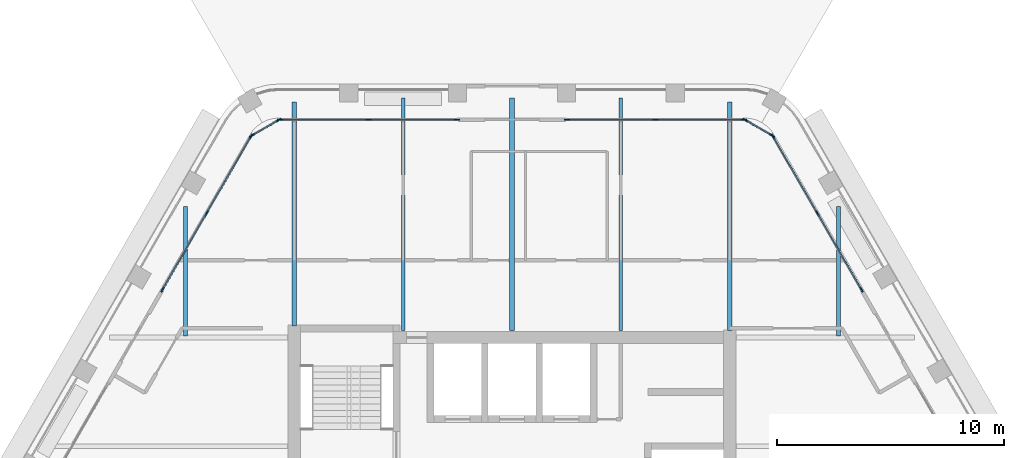
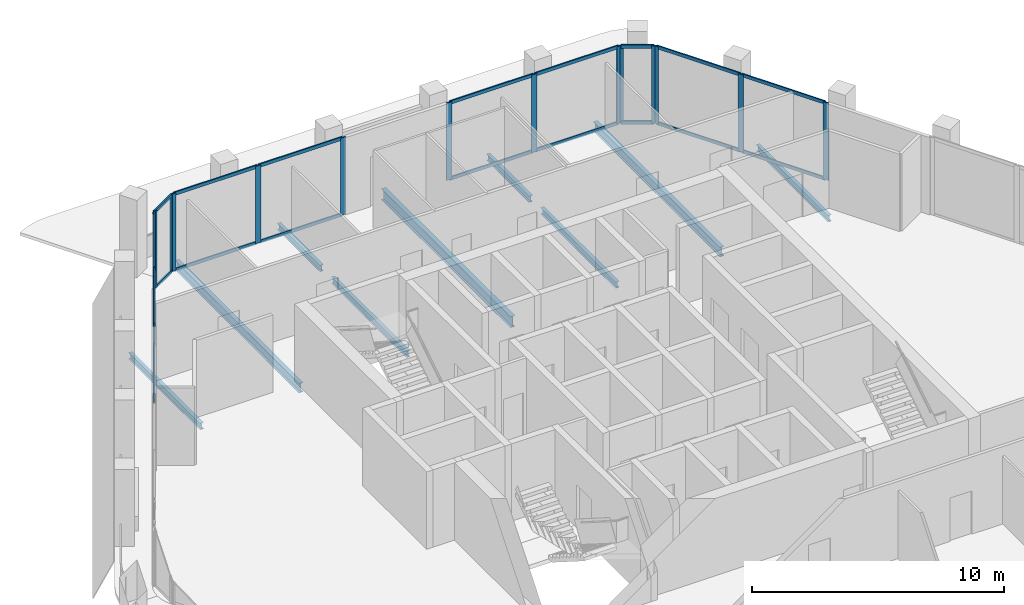
# One storey, part 5 of 14: 36 members, 9 beams, 6 elements without a shape of their own.
"""IFC4 building model written with IfcOpenShell, lengths in metres."""

from ifc_helpers import new_model, si_unit, direction, frame, origin, origin_2d, place, context, subcontext, project, spatial, rectangle, i_section, extrude, material, material_profile, profile_set, type_object, element, aggregate, save


model = new_model("IFC4")

# Units and contexts
model_context = context("Model", 3, precision=1e-05, world=origin(), true_north=direction((0.0, 1.0)))
body_context = subcontext(model_context, "Body", "Model", "MODEL_VIEW")
ifc_project = project(units=[si_unit("LENGTHUNIT", "METRE"), si_unit("AREAUNIT", "SQUARE_METRE"), si_unit("VOLUMEUNIT", "CUBIC_METRE"), si_unit("PLANEANGLEUNIT", "RADIAN"), si_unit("MASSUNIT", "GRAM", prefix="KILO")], contexts=[model_context])

# Site, building, storey
site_placement = place(None, origin())
site = spatial("IfcSite", under=ifc_project, at=site_placement, CompositionType="ELEMENT")
building_placement = place(site_placement, origin())
building = spatial("IfcBuilding", under=site, at=building_placement, Name="Kolab Exchange Tower", CompositionType="ELEMENT")
storey_placement = place(building_placement, frame((0.0, 0.0, 222.800048828125)))
storey = spatial("IfcBuildingStorey", under=building, at=storey_placement, Name="L48", CompositionType="ELEMENT", Elevation=222.800048828125)

# Beams
ifc_material_1 = material(Name="Steel S355", Category="steel")
ifc_material_profile_1 = material_profile(ifc_material_1, i_section(OverallWidth=0.1650390625, OverallDepth=0.31005859375, WebThickness=0.005859375, FlangeThickness=0.009765625, at=origin_2d()), Name="W310X39")
ifc_profile_set_1 = profile_set([ifc_material_profile_1], Name="Steel S355")
beam_type_1 = type_object("IfcBeamType", Name="FLOOR BEAM W310X39", PredefinedType="BEAM", material=ifc_profile_set_1)
beam_1_placement = place(storey_placement, frame((-14.39990234375, 9.674072265625, -0.304931640625), z_axis=(0.0, 1.0, 0.0), x_axis=(-1.0, 0.0, 0.0)))
element("IfcBeam", 1, at=beam_1_placement, inside=storey, type_object=beam_type_1, Name="beam/L48/fr/004", PredefinedType="BEAM", context=body_context, shape_type="SweptSolid", body=[
    extrude(i_section(OverallWidth=0.1650390625, OverallDepth=0.31005859375, WebThickness=0.005859375, FlangeThickness=0.009765625, at=origin_2d()), origin(), (0.0, 0.0, 1.0), 5.693603515625),
])
beam_2_placement = place(storey_placement, frame((-4.800048828125, 9.909912109375, -0.304931640625), z_axis=(0.0, 1.0, 0.0), x_axis=(-1.0, 0.0, 0.0)))
element("IfcBeam", 2, at=beam_2_placement, inside=storey, type_object=beam_type_1, Name="beam/L48/fr/009", PredefinedType="BEAM", context=body_context, shape_type="SweptSolid", body=[
    extrude(i_section(OverallWidth=0.1650390625, OverallDepth=0.31005859375, WebThickness=0.005859375, FlangeThickness=0.009765625, at=origin_2d()), origin(), (0.0, 0.0, 1.0), 5.966796875),
])
beam_3_placement = place(storey_placement, frame((-4.800048828125, 16.77880859375, -0.304931640625), z_axis=(0.0, 1.0, 0.0), x_axis=(-1.0, 0.0, 0.0)))
element("IfcBeam", 3, at=beam_3_placement, inside=storey, type_object=beam_type_1, Name="beam/L48/fr/010", PredefinedType="BEAM", context=body_context, shape_type="SweptSolid", body=[
    extrude(i_section(OverallWidth=0.1650390625, OverallDepth=0.31005859375, WebThickness=0.005859375, FlangeThickness=0.009765625, at=origin_2d()), origin(), (0.0, 0.0, 1.0), 3.395751953125),
])
beam_4_placement = place(storey_placement, frame((4.800048828125, 9.909912109375, -0.304931640625), z_axis=(0.0, 1.0, 0.0), x_axis=(-1.0, 0.0, 0.0)))
element("IfcBeam", 4, at=beam_4_placement, inside=storey, type_object=beam_type_1, Name="beam/L48/fr/015", PredefinedType="BEAM", context=body_context, shape_type="SweptSolid", body=[
    extrude(i_section(OverallWidth=0.1650390625, OverallDepth=0.31005859375, WebThickness=0.005859375, FlangeThickness=0.009765625, at=origin_2d()), origin(), (0.0, 0.0, 1.0), 5.966796875),
])
beam_5_placement = place(storey_placement, frame((4.800048828125, 16.77880859375, -0.304931640625), z_axis=(0.0, 1.0, 0.0), x_axis=(-1.0, 0.0, 0.0)))
element("IfcBeam", 5, at=beam_5_placement, inside=storey, type_object=beam_type_1, Name="beam/L48/fr/016", PredefinedType="BEAM", context=body_context, shape_type="SweptSolid", body=[
    extrude(i_section(OverallWidth=0.1650390625, OverallDepth=0.31005859375, WebThickness=0.005859375, FlangeThickness=0.009765625, at=origin_2d()), origin(), (0.0, 0.0, 1.0), 3.395751953125),
])
beam_6_placement = place(storey_placement, frame((14.39990234375, 9.674072265625, -0.304931640625), z_axis=(0.0, 1.0, 0.0), x_axis=(-1.0, 0.0, 0.0)))
element("IfcBeam", 6, at=beam_6_placement, inside=storey, type_object=beam_type_1, Name="beam/L48/fr/023", PredefinedType="BEAM", context=body_context, shape_type="SweptSolid", body=[
    extrude(i_section(OverallWidth=0.1650390625, OverallDepth=0.31005859375, WebThickness=0.005859375, FlangeThickness=0.009765625, at=origin_2d()), origin(), (0.0, 0.0, 1.0), 5.693603515625),
])
ifc_material_profile_2 = material_profile(ifc_material_1, i_section(OverallWidth=0.18994140625, OverallDepth=0.45703125, WebThickness=0.009033203125, FlangeThickness=0.014404296875, at=origin_2d()), Name="W460X74")
ifc_profile_set_2 = profile_set([ifc_material_profile_2], Name="Steel S355")
beam_type_2 = type_object("IfcBeamType", Name="FLOOR BEAM W460X74", PredefinedType="BEAM", material=ifc_profile_set_2)
beam_7_placement = place(storey_placement, frame((-9.60009765625, 10.110107421875, -0.378662109375), z_axis=(0.0, 1.0, 0.0), x_axis=(-1.0, 0.0, 0.0)))
element("IfcBeam", 7, at=beam_7_placement, inside=storey, type_object=beam_type_2, Name="beam/L48/fr/006", PredefinedType="BEAM", context=body_context, shape_type="SweptSolid", body=[
    extrude(i_section(OverallWidth=0.18994140625, OverallDepth=0.45703125, WebThickness=0.009033203125, FlangeThickness=0.014404296875, at=origin_2d()), origin(), (0.0, 0.0, 1.0), 9.872314453125),
])
beam_8_placement = place(storey_placement, frame((9.60009765625, 9.909912109375, -0.378662109375), z_axis=(0.0, 1.0, 0.0), x_axis=(-1.0, 0.0, 0.0)))
element("IfcBeam", 8, at=beam_8_placement, inside=storey, type_object=beam_type_2, Name="beam/L48/fr/018", PredefinedType="BEAM", context=body_context, shape_type="SweptSolid", body=[
    extrude(i_section(OverallWidth=0.18994140625, OverallDepth=0.45703125, WebThickness=0.009033203125, FlangeThickness=0.014404296875, at=origin_2d()), origin(), (0.0, 0.0, 1.0), 10.072509765625),
])
ifc_material_profile_3 = material_profile(ifc_material_1, i_section(OverallWidth=0.208984375, OverallDepth=0.532958984375, WebThickness=0.01025390625, FlangeThickness=0.015625, at=origin_2d()), Name="W530X92")
ifc_profile_set_3 = profile_set([ifc_material_profile_3], Name="Steel S355")
beam_type_3 = type_object("IfcBeamType", Name="FLOOR BEAM W530X92", PredefinedType="BEAM", material=ifc_profile_set_3)
beam_9_placement = place(storey_placement, frame((0.0, 9.909912109375, -0.41650390625), z_axis=(0.0, 1.0, 0.0), x_axis=(-1.0, 0.0, 0.0)))
element("IfcBeam", 9, at=beam_9_placement, inside=storey, type_object=beam_type_3, Name="beam/L48/fr/012", PredefinedType="BEAM", context=body_context, shape_type="SweptSolid", body=[
    extrude(i_section(OverallWidth=0.208984375, OverallDepth=0.532958984375, WebThickness=0.01025390625, FlangeThickness=0.015625, at=origin_2d()), origin(), (0.0, 0.0, 1.0), 10.2646484375),
])

# Curtain wall, members
ifc_material_2 = material(Name="Aluminium EN AW-6063 T6", Category="aluminium")
curtain_wall_type = type_object("IfcCurtainWallType", Name="UNITISED HIGH ZONE CURTAIN WALL", PredefinedType="NOTDEFINED", material=ifc_material_2)
curtain_wall_1_placement = place(storey_placement, origin())
curtain_wall_1 = element("IfcCurtainWall", 10, at=curtain_wall_1_placement, inside=storey, type_object=curtain_wall_type, Name="cw/L48/F1-1", PredefinedType="NOTDEFINED")
ifc_material_profile_4 = material_profile(ifc_material_2, rectangle(XDim=0.06005859375, YDim=0.239990234375, at=origin_2d()), Name="RECT 60X240")
ifc_profile_set_4 = profile_set([ifc_material_profile_4], Name="Aluminium EN AW-6063 T6")
member_type_1 = type_object("IfcMemberType", Name="UNITISED HIGH ZONE MULLION 60 X 240", PredefinedType="MULLION", material=ifc_profile_set_4)
member_1_placement = place(storey_placement, frame((-10.238037109375, 19.20458984375, 0.0), z_axis=(0.0, 0.0, 1.0), x_axis=(0.0, 1.0, 0.0)))
member_1 = element("IfcMember", 11, at=member_1_placement, type_object=member_type_1, Name="CW4 mullion 1", PredefinedType="MULLION", context=body_context, shape_type="SweptSolid", body=[
    extrude(rectangle(XDim=0.06005859375, YDim=0.239990234375, at=origin_2d()), origin(), (0.0, 0.0, 1.0), 3.75),
])
member_2_placement = place(storey_placement, frame((-6.333984375, 19.20458984375, 0.0), z_axis=(0.0, 0.0, 1.0), x_axis=(0.0, 1.0, 0.0)))
member_2 = element("IfcMember", 12, at=member_2_placement, type_object=member_type_1, Name="CW4 mullion 2", PredefinedType="MULLION", context=body_context, shape_type="SweptSolid", body=[
    extrude(rectangle(XDim=0.06005859375, YDim=0.239990234375, at=origin_2d()), origin(), (0.0, 0.0, 1.0), 3.75),
])
member_3_placement = place(storey_placement, frame((-2.429931640625, 19.20458984375, 0.0), z_axis=(0.0, 0.0, 1.0), x_axis=(0.0, 1.0, 0.0)))
member_3 = element("IfcMember", 13, at=member_3_placement, type_object=member_type_1, Name="CW4 mullion 3", PredefinedType="MULLION", context=body_context, shape_type="SweptSolid", body=[
    extrude(rectangle(XDim=0.06005859375, YDim=0.239990234375, at=origin_2d()), origin(), (0.0, 0.0, 1.0), 3.75),
])

curtain_wall_2_placement = place(storey_placement, origin())
curtain_wall_2 = element("IfcCurtainWall", 14, at=curtain_wall_2_placement, inside=storey, type_object=curtain_wall_type, Name="cw/L48/F1-2", PredefinedType="NOTDEFINED")
member_4_placement = place(storey_placement, frame((2.429931640625, 19.20458984375, 0.0), z_axis=(0.0, 0.0, 1.0), x_axis=(0.0, 1.0, 0.0)))
member_4 = element("IfcMember", 15, at=member_4_placement, type_object=member_type_1, Name="CW4 mullion 1", PredefinedType="MULLION", context=body_context, shape_type="SweptSolid", body=[
    extrude(rectangle(XDim=0.06005859375, YDim=0.239990234375, at=origin_2d()), origin(), (0.0, 0.0, 1.0), 3.75),
])
member_5_placement = place(storey_placement, frame((6.333984375, 19.20458984375, 0.0), z_axis=(0.0, 0.0, 1.0), x_axis=(0.0, 1.0, 0.0)))
member_5 = element("IfcMember", 16, at=member_5_placement, type_object=member_type_1, Name="CW4 mullion 2", PredefinedType="MULLION", context=body_context, shape_type="SweptSolid", body=[
    extrude(rectangle(XDim=0.06005859375, YDim=0.239990234375, at=origin_2d()), origin(), (0.0, 0.0, 1.0), 3.75),
])
member_6_placement = place(storey_placement, frame((10.238037109375, 19.20458984375, 0.0), z_axis=(0.0, 0.0, 1.0), x_axis=(0.0, 1.0, 0.0)))
member_6 = element("IfcMember", 17, at=member_6_placement, type_object=member_type_1, Name="CW4 mullion 3", PredefinedType="MULLION", context=body_context, shape_type="SweptSolid", body=[
    extrude(rectangle(XDim=0.06005859375, YDim=0.239990234375, at=origin_2d()), origin(), (0.0, 0.0, 1.0), 3.75),
])

curtain_wall_3_placement = place(storey_placement, origin())
curtain_wall_3 = element("IfcCurtainWall", 18, at=curtain_wall_3_placement, inside=storey, type_object=curtain_wall_type, Name="cw/L48/F2-1", PredefinedType="NOTDEFINED")
member_7_placement = place(storey_placement, frame((11.5126953125, 18.46875, 0.0), z_axis=(0.0, 0.0, 1.0), x_axis=(0.866025385493, 0.500000031681, 0.0)))
member_7 = element("IfcMember", 19, at=member_7_placement, type_object=member_type_1, Name="CW4 mullion 1", PredefinedType="MULLION", context=body_context, shape_type="SweptSolid", body=[
    extrude(rectangle(XDim=0.06005859375, YDim=0.239990234375, at=origin_2d()), origin(), (0.0, 0.0, 1.0), 3.75),
])
member_8_placement = place(storey_placement, frame((13.464599609375, 15.087646484375, 0.0), z_axis=(0.0, 0.0, 1.0), x_axis=(0.866025385493, 0.500000031681, 0.0)))
member_8 = element("IfcMember", 20, at=member_8_placement, type_object=member_type_1, Name="CW4 mullion 2", PredefinedType="MULLION", context=body_context, shape_type="SweptSolid", body=[
    extrude(rectangle(XDim=0.06005859375, YDim=0.239990234375, at=origin_2d()), origin(), (0.0, 0.0, 1.0), 3.75),
])
member_9_placement = place(storey_placement, frame((15.416748046875, 11.706787109375, 0.0), z_axis=(0.0, 0.0, 1.0), x_axis=(0.866025385493, 0.500000031681, 0.0)))
member_9 = element("IfcMember", 21, at=member_9_placement, type_object=member_type_1, Name="CW4 mullion 3", PredefinedType="MULLION", context=body_context, shape_type="SweptSolid", body=[
    extrude(rectangle(XDim=0.06005859375, YDim=0.239990234375, at=origin_2d()), origin(), (0.0, 0.0, 1.0), 3.75),
])

curtain_wall_4_placement = place(storey_placement, origin())
curtain_wall_4 = element("IfcCurtainWall", 22, at=curtain_wall_4_placement, inside=storey, type_object=curtain_wall_type, Name="cw/L48/F6-2", PredefinedType="NOTDEFINED")
member_10_placement = place(storey_placement, frame((-15.416748046875, 11.706787109375, 0.0), z_axis=(0.0, 0.0, 1.0), x_axis=(-0.866025385493, 0.500000031681, 0.0)))
member_10 = element("IfcMember", 23, at=member_10_placement, type_object=member_type_1, Name="CW4 mullion 1", PredefinedType="MULLION", context=body_context, shape_type="SweptSolid", body=[
    extrude(rectangle(XDim=0.06005859375, YDim=0.239990234375, at=origin_2d()), origin(), (0.0, 0.0, 1.0), 3.75),
])
member_11_placement = place(storey_placement, frame((-13.464599609375, 15.087646484375, 0.0), z_axis=(0.0, 0.0, 1.0), x_axis=(-0.866025385493, 0.500000031681, 0.0)))
member_11 = element("IfcMember", 24, at=member_11_placement, type_object=member_type_1, Name="CW4 mullion 2", PredefinedType="MULLION", context=body_context, shape_type="SweptSolid", body=[
    extrude(rectangle(XDim=0.06005859375, YDim=0.239990234375, at=origin_2d()), origin(), (0.0, 0.0, 1.0), 3.75),
])
member_12_placement = place(storey_placement, frame((-11.5126953125, 18.46875, 0.0), z_axis=(0.0, 0.0, 1.0), x_axis=(-0.866025385493, 0.500000031681, 0.0)))
member_12 = element("IfcMember", 25, at=member_12_placement, type_object=member_type_1, Name="CW4 mullion 3", PredefinedType="MULLION", context=body_context, shape_type="SweptSolid", body=[
    extrude(rectangle(XDim=0.06005859375, YDim=0.239990234375, at=origin_2d()), origin(), (0.0, 0.0, 1.0), 3.75),
])

curtain_wall_5_placement = place(storey_placement, origin())
curtain_wall_5 = element("IfcCurtainWall", 26, at=curtain_wall_5_placement, inside=storey, type_object=curtain_wall_type, Name="cw/L48/F1F2-corner", PredefinedType="NOTDEFINED")
member_13_placement = place(storey_placement, frame((10.2939453125, 19.189697265625, 0.0), z_axis=(0.0, 0.0, 1.0), x_axis=(0.50000002237, 0.866025390869, 0.0)))
member_13 = element("IfcMember", 27, at=member_13_placement, type_object=member_type_1, Name="CW4 mullion 1", PredefinedType="MULLION", context=body_context, shape_type="SweptSolid", body=[
    extrude(rectangle(XDim=0.06005859375, YDim=0.239990234375, at=origin_2d()), origin(), (0.0, 0.0, 1.0), 3.75),
])
member_14_placement = place(storey_placement, frame((11.4716796875, 18.509521484375, 0.0), z_axis=(0.0, 0.0, 1.0), x_axis=(0.50000002237, 0.866025390869, 0.0)))
member_14 = element("IfcMember", 28, at=member_14_placement, type_object=member_type_1, Name="CW4 mullion 2", PredefinedType="MULLION", context=body_context, shape_type="SweptSolid", body=[
    extrude(rectangle(XDim=0.06005859375, YDim=0.239990234375, at=origin_2d()), origin(), (0.0, 0.0, 1.0), 3.75),
])

curtain_wall_6_placement = place(storey_placement, origin())
curtain_wall_6 = element("IfcCurtainWall", 29, at=curtain_wall_6_placement, inside=storey, type_object=curtain_wall_type, Name="cw/L48/F6F1-corner", PredefinedType="NOTDEFINED")
member_15_placement = place(storey_placement, frame((-11.4716796875, 18.509521484375, 0.0), z_axis=(0.0, 0.0, 1.0), x_axis=(-0.50000002237, 0.866025390869, 0.0)))
member_15 = element("IfcMember", 30, at=member_15_placement, type_object=member_type_1, Name="CW4 mullion 1", PredefinedType="MULLION", context=body_context, shape_type="SweptSolid", body=[
    extrude(rectangle(XDim=0.06005859375, YDim=0.239990234375, at=origin_2d()), origin(), (0.0, 0.0, 1.0), 3.75),
])
member_16_placement = place(storey_placement, frame((-10.2939453125, 19.189697265625, 0.0), z_axis=(0.0, 0.0, 1.0), x_axis=(-0.50000002237, 0.866025390869, 0.0)))
member_16 = element("IfcMember", 31, at=member_16_placement, type_object=member_type_1, Name="CW4 mullion 2", PredefinedType="MULLION", context=body_context, shape_type="SweptSolid", body=[
    extrude(rectangle(XDim=0.06005859375, YDim=0.239990234375, at=origin_2d()), origin(), (0.0, 0.0, 1.0), 3.75),
])

# Member
ifc_material_profile_5 = material_profile(ifc_material_2, rectangle(XDim=0.06005859375, YDim=0.159912109375, at=origin_2d()), Name="RECT 60X160")
ifc_profile_set_5 = profile_set([ifc_material_profile_5], Name="Aluminium EN AW-6063 T6")
member_type_2 = type_object("IfcMemberType", Name="UNITISED HIGH ZONE TRANSOM 60 X 160", PredefinedType="USERDEFINED", material=ifc_profile_set_5)
member_17_placement = place(storey_placement, frame((-10.2080078125, 19.20458984375, 0.030029296875), z_axis=(1.0, 0.0, 0.0), x_axis=(0.0, 1.0, 0.0)))
member_17 = element("IfcMember", 32, at=member_17_placement, type_object=member_type_2, Name="CW4 transom 1.1", ObjectType="TRANSOM", PredefinedType="USERDEFINED", context=body_context, shape_type="SweptSolid", body=[
    extrude(rectangle(XDim=0.06005859375, YDim=0.159912109375, at=origin_2d()), origin(), (0.0, 0.0, 1.0), 3.843994140625),
])

member_18_placement = place(storey_placement, frame((-10.2080078125, 19.20458984375, 3.719970703125), z_axis=(1.0, 0.0, 0.0), x_axis=(0.0, 1.0, 0.0)))
member_18 = element("IfcMember", 33, at=member_18_placement, type_object=member_type_2, Name="CW4 transom 1.2", ObjectType="TRANSOM", PredefinedType="USERDEFINED", context=body_context, shape_type="SweptSolid", body=[
    extrude(rectangle(XDim=0.06005859375, YDim=0.159912109375, at=origin_2d()), origin(), (0.0, 0.0, 1.0), 3.843994140625),
])

member_19_placement = place(storey_placement, frame((-6.303955078125, 19.20458984375, 0.030029296875), z_axis=(1.0, 0.0, 0.0), x_axis=(0.0, 1.0, 0.0)))
member_19 = element("IfcMember", 34, at=member_19_placement, type_object=member_type_2, Name="CW4 transom 2.1", ObjectType="TRANSOM", PredefinedType="USERDEFINED", context=body_context, shape_type="SweptSolid", body=[
    extrude(rectangle(XDim=0.06005859375, YDim=0.159912109375, at=origin_2d()), origin(), (0.0, 0.0, 1.0), 3.843994140625),
])

member_20_placement = place(storey_placement, frame((-6.303955078125, 19.20458984375, 3.719970703125), z_axis=(1.0, 0.0, 0.0), x_axis=(0.0, 1.0, 0.0)))
member_20 = element("IfcMember", 35, at=member_20_placement, type_object=member_type_2, Name="CW4 transom 2.2", ObjectType="TRANSOM", PredefinedType="USERDEFINED", context=body_context, shape_type="SweptSolid", body=[
    extrude(rectangle(XDim=0.06005859375, YDim=0.159912109375, at=origin_2d()), origin(), (0.0, 0.0, 1.0), 3.843994140625),
])

aggregate(curtain_wall_1, [member_1, member_2, member_3, member_17, member_18, member_19, member_20])

member_21_placement = place(storey_placement, frame((2.4599609375, 19.20458984375, 0.030029296875), z_axis=(1.0, 0.0, 0.0), x_axis=(0.0, 1.0, 0.0)))
member_21 = element("IfcMember", 36, at=member_21_placement, type_object=member_type_2, Name="CW4 transom 1.1", ObjectType="TRANSOM", PredefinedType="USERDEFINED", context=body_context, shape_type="SweptSolid", body=[
    extrude(rectangle(XDim=0.06005859375, YDim=0.159912109375, at=origin_2d()), origin(), (0.0, 0.0, 1.0), 3.843994140625),
])

member_22_placement = place(storey_placement, frame((2.4599609375, 19.20458984375, 3.719970703125), z_axis=(1.0, 0.0, 0.0), x_axis=(0.0, 1.0, 0.0)))
member_22 = element("IfcMember", 37, at=member_22_placement, type_object=member_type_2, Name="CW4 transom 1.2", ObjectType="TRANSOM", PredefinedType="USERDEFINED", context=body_context, shape_type="SweptSolid", body=[
    extrude(rectangle(XDim=0.06005859375, YDim=0.159912109375, at=origin_2d()), origin(), (0.0, 0.0, 1.0), 3.843994140625),
])

member_23_placement = place(storey_placement, frame((6.364013671875, 19.20458984375, 0.030029296875), z_axis=(1.0, 0.0, 0.0), x_axis=(0.0, 1.0, 0.0)))
member_23 = element("IfcMember", 38, at=member_23_placement, type_object=member_type_2, Name="CW4 transom 2.1", ObjectType="TRANSOM", PredefinedType="USERDEFINED", context=body_context, shape_type="SweptSolid", body=[
    extrude(rectangle(XDim=0.06005859375, YDim=0.159912109375, at=origin_2d()), origin(), (0.0, 0.0, 1.0), 3.843994140625),
])

member_24_placement = place(storey_placement, frame((6.364013671875, 19.20458984375, 3.719970703125), z_axis=(1.0, 0.0, 0.0), x_axis=(0.0, 1.0, 0.0)))
member_24 = element("IfcMember", 39, at=member_24_placement, type_object=member_type_2, Name="CW4 transom 2.2", ObjectType="TRANSOM", PredefinedType="USERDEFINED", context=body_context, shape_type="SweptSolid", body=[
    extrude(rectangle(XDim=0.06005859375, YDim=0.159912109375, at=origin_2d()), origin(), (0.0, 0.0, 1.0), 3.843994140625),
])

aggregate(curtain_wall_2, [member_4, member_5, member_6, member_21, member_22, member_23, member_24])

member_25_placement = place(storey_placement, frame((11.527587890625, 18.442626953125, 0.030029296875), z_axis=(0.500039492609, -0.866002601515, 0.0), x_axis=(0.866002601515, 0.500039492609, 0.0)))
member_25 = element("IfcMember", 40, at=member_25_placement, type_object=member_type_2, Name="CW4 transom 1.1", ObjectType="TRANSOM", PredefinedType="USERDEFINED", context=body_context, shape_type="SweptSolid", body=[
    extrude(rectangle(XDim=0.06005859375, YDim=0.159912109375, at=origin_2d()), origin(), (0.0, 0.0, 1.0), 3.843994140625),
])

member_26_placement = place(storey_placement, frame((11.527587890625, 18.442626953125, 3.719970703125), z_axis=(0.500039492609, -0.866002601515, 0.0), x_axis=(0.866002601515, 0.500039492609, 0.0)))
member_26 = element("IfcMember", 41, at=member_26_placement, type_object=member_type_2, Name="CW4 transom 1.2", ObjectType="TRANSOM", PredefinedType="USERDEFINED", context=body_context, shape_type="SweptSolid", body=[
    extrude(rectangle(XDim=0.06005859375, YDim=0.159912109375, at=origin_2d()), origin(), (0.0, 0.0, 1.0), 3.843994140625),
])

member_27_placement = place(storey_placement, frame((13.479736328125, 15.061767578125, 0.030029296875), z_axis=(0.499964356602, -0.866045981532, 0.0), x_axis=(0.866045981532, 0.499964356602, 0.0)))
member_27 = element("IfcMember", 42, at=member_27_placement, type_object=member_type_2, Name="CW4 transom 2.1", ObjectType="TRANSOM", PredefinedType="USERDEFINED", context=body_context, shape_type="SweptSolid", body=[
    extrude(rectangle(XDim=0.06005859375, YDim=0.159912109375, at=origin_2d()), origin(), (0.0, 0.0, 1.0), 3.843994140625),
])

member_28_placement = place(storey_placement, frame((13.479736328125, 15.061767578125, 3.719970703125), z_axis=(0.499964356602, -0.866045981532, 0.0), x_axis=(0.866045981532, 0.499964356602, 0.0)))
member_28 = element("IfcMember", 43, at=member_28_placement, type_object=member_type_2, Name="CW4 transom 2.2", ObjectType="TRANSOM", PredefinedType="USERDEFINED", context=body_context, shape_type="SweptSolid", body=[
    extrude(rectangle(XDim=0.06005859375, YDim=0.159912109375, at=origin_2d()), origin(), (0.0, 0.0, 1.0), 3.843994140625),
])

aggregate(curtain_wall_3, [member_7, member_8, member_9, member_25, member_26, member_27, member_28])

member_29_placement = place(storey_placement, frame((-15.401611328125, 11.732666015625, 0.030029296875), z_axis=(0.499964356602, 0.866045981532, 0.0), x_axis=(-0.866045981532, 0.499964356602, 0.0)))
member_29 = element("IfcMember", 44, at=member_29_placement, type_object=member_type_2, Name="CW4 transom 1.1", ObjectType="TRANSOM", PredefinedType="USERDEFINED", context=body_context, shape_type="SweptSolid", body=[
    extrude(rectangle(XDim=0.06005859375, YDim=0.159912109375, at=origin_2d()), origin(), (0.0, 0.0, 1.0), 3.843994140625),
])

member_30_placement = place(storey_placement, frame((-15.401611328125, 11.732666015625, 3.719970703125), z_axis=(0.499964356602, 0.866045981532, 0.0), x_axis=(-0.866045981532, 0.499964356602, 0.0)))
member_30 = element("IfcMember", 45, at=member_30_placement, type_object=member_type_2, Name="CW4 transom 1.2", ObjectType="TRANSOM", PredefinedType="USERDEFINED", context=body_context, shape_type="SweptSolid", body=[
    extrude(rectangle(XDim=0.06005859375, YDim=0.159912109375, at=origin_2d()), origin(), (0.0, 0.0, 1.0), 3.843994140625),
])

member_31_placement = place(storey_placement, frame((-13.44970703125, 15.11376953125, 0.030029296875), z_axis=(0.500039492609, 0.866002601515, 0.0), x_axis=(-0.866002601515, 0.500039492609, 0.0)))
member_31 = element("IfcMember", 46, at=member_31_placement, type_object=member_type_2, Name="CW4 transom 2.1", ObjectType="TRANSOM", PredefinedType="USERDEFINED", context=body_context, shape_type="SweptSolid", body=[
    extrude(rectangle(XDim=0.06005859375, YDim=0.159912109375, at=origin_2d()), origin(), (0.0, 0.0, 1.0), 3.843994140625),
])

member_32_placement = place(storey_placement, frame((-13.44970703125, 15.11376953125, 3.719970703125), z_axis=(0.500039492609, 0.866002601515, 0.0), x_axis=(-0.866002601515, 0.500039492609, 0.0)))
member_32 = element("IfcMember", 47, at=member_32_placement, type_object=member_type_2, Name="CW4 transom 2.2", ObjectType="TRANSOM", PredefinedType="USERDEFINED", context=body_context, shape_type="SweptSolid", body=[
    extrude(rectangle(XDim=0.06005859375, YDim=0.159912109375, at=origin_2d()), origin(), (0.0, 0.0, 1.0), 3.843994140625),
])

aggregate(curtain_wall_4, [member_10, member_11, member_12, member_29, member_30, member_31, member_32])

member_33_placement = place(storey_placement, frame((10.31982421875, 19.174560546875, 0.030029296875), z_axis=(0.866085525409, -0.49989585183, 0.0), x_axis=(0.49989585183, 0.866085525409, 0.0)))
member_33 = element("IfcMember", 48, at=member_33_placement, type_object=member_type_2, Name="CW4 transom 1.1", ObjectType="TRANSOM", PredefinedType="USERDEFINED", context=body_context, shape_type="SweptSolid", body=[
    extrude(rectangle(XDim=0.06005859375, YDim=0.159912109375, at=origin_2d()), origin(), (0.0, 0.0, 1.0), 1.300048828125),
])

member_34_placement = place(storey_placement, frame((10.31982421875, 19.174560546875, 3.719970703125), z_axis=(0.866085525409, -0.49989585183, 0.0), x_axis=(0.49989585183, 0.866085525409, 0.0)))
member_34 = element("IfcMember", 49, at=member_34_placement, type_object=member_type_2, Name="CW4 transom 1.2", ObjectType="TRANSOM", PredefinedType="USERDEFINED", context=body_context, shape_type="SweptSolid", body=[
    extrude(rectangle(XDim=0.06005859375, YDim=0.159912109375, at=origin_2d()), origin(), (0.0, 0.0, 1.0), 1.300048828125),
])

aggregate(curtain_wall_5, [member_13, member_14, member_33, member_34])

member_35_placement = place(storey_placement, frame((-11.44580078125, 18.524658203125, 0.030029296875), z_axis=(0.866085525409, 0.49989585183, 0.0), x_axis=(-0.49989585183, 0.866085525409, 0.0)))
member_35 = element("IfcMember", 50, at=member_35_placement, type_object=member_type_2, Name="CW4 transom 1.1", ObjectType="TRANSOM", PredefinedType="USERDEFINED", context=body_context, shape_type="SweptSolid", body=[
    extrude(rectangle(XDim=0.06005859375, YDim=0.159912109375, at=origin_2d()), origin(), (0.0, 0.0, 1.0), 1.300048828125),
])

member_36_placement = place(storey_placement, frame((-11.44580078125, 18.524658203125, 3.719970703125), z_axis=(0.866085525409, 0.49989585183, 0.0), x_axis=(-0.49989585183, 0.866085525409, 0.0)))
member_36 = element("IfcMember", 51, at=member_36_placement, type_object=member_type_2, Name="CW4 transom 1.2", ObjectType="TRANSOM", PredefinedType="USERDEFINED", context=body_context, shape_type="SweptSolid", body=[
    extrude(rectangle(XDim=0.06005859375, YDim=0.159912109375, at=origin_2d()), origin(), (0.0, 0.0, 1.0), 1.300048828125),
])

aggregate(curtain_wall_6, [member_15, member_16, member_35, member_36])

save(model, "model.ifc")
